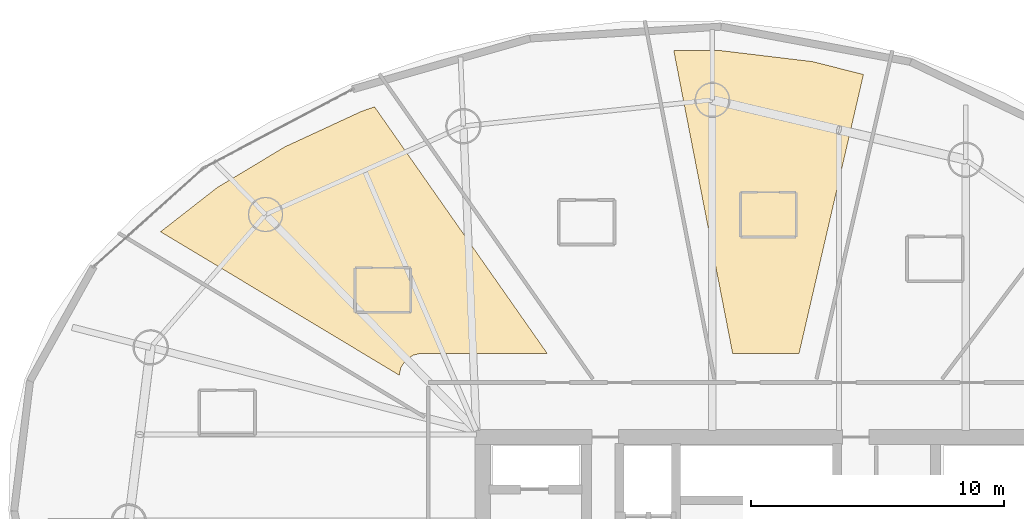
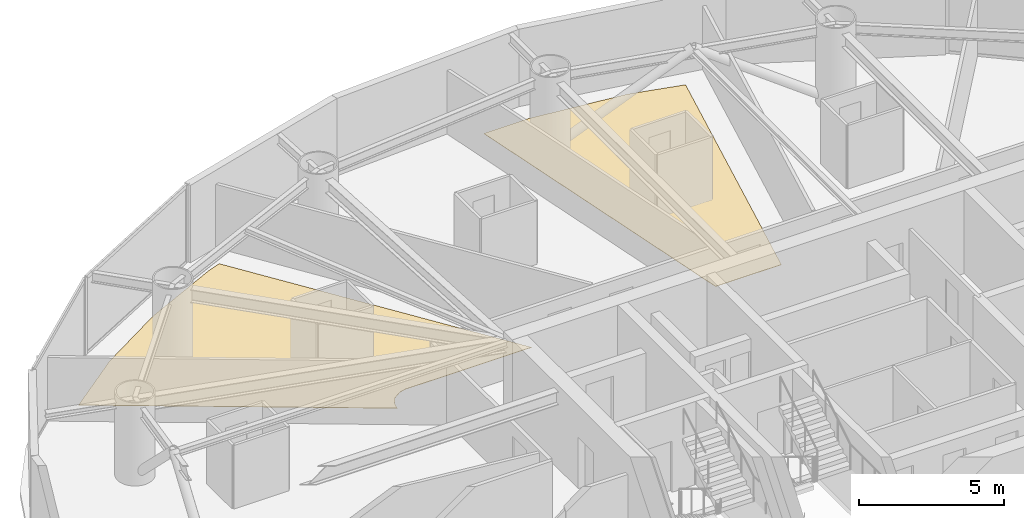
# One storey, part 20 of 20: 2 coverings.
"""IFC4 building model written with IfcOpenShell, lengths in metres."""

import ifcopenshell
import ifcopenshell.guid

model = None  # the IFC model being written
_history = None  # IfcOwnerHistory: only IFC2X3 demands one
_inside = {}  # id of a spatial element -> (the spatial element, [elements in it])
_under = {}  # id of a project, library or spatial element -> (it, [spatial elements below it])
_declared = {}  # id of a project -> (the project, [libraries it declares])
_typed = {}  # id of a type object -> (the type object, [elements of that type])
_made_of = {}  # id of a material, layer set ... -> (it, [elements and type objects made of it])


def new_model(schema):
    """Start an empty IFC model of exactly this schema.

    Asked for "IFC4X3", IfcOpenShell would pick the latest addendum, in which some entities
    have other attributes; the version numbers below select the first issue.
    IFC2X3 requires an IfcOwnerHistory on every rooted entity: one is made here for all.
    """
    global model, _history
    if schema == "IFC4X3":
        model = ifcopenshell.file(schema_version=(4, 3, 0, 0))
    else:
        model = ifcopenshell.file(schema=schema)
    _inside.clear()
    _under.clear()
    _declared.clear()
    _typed.clear()
    _made_of.clear()
    _history = None
    if model.schema == "IFC2X3":
        org = make("IfcOrganization", Name="unknown")
        user = make(
            "IfcPersonAndOrganization",
            ThePerson=make("IfcPerson", FamilyName="unknown"),
            TheOrganization=org,
        )
        app = make(
            "IfcApplication",
            ApplicationDeveloper=org,
            Version="unknown",
            ApplicationFullName="unknown",
            ApplicationIdentifier="unknown",
        )
        _history = make(
            "IfcOwnerHistory",
            OwningUser=user,
            OwningApplication=app,
            ChangeAction="ADDED",
            CreationDate=0,
        )
    return model


def make(cls, **values):
    """One entity of the class cls with the attributes given. An attribute that is None is left unset."""
    return model.create_entity(
        cls, **{name: value for name, value in values.items() if value is not None}
    )


def rooted(cls, **values):
    """An entity with a GlobalId (a new one), such as an element, a storey or a relation."""
    return make(cls, GlobalId=ifcopenshell.guid.new(), OwnerHistory=_history, **values)


def si_unit(unit_type, name, prefix=None):
    """IfcSIUnit, for example si_unit("LENGTHUNIT", "METRE", prefix="MILLI")."""
    return make("IfcSIUnit", UnitType=unit_type, Prefix=prefix, Name=name)


def assignment(units):
    """IfcUnitAssignment: the units of a project."""
    return None if units is None else make("IfcUnitAssignment", Units=units)


def point(xyz):
    """IfcCartesianPoint."""
    return None if xyz is None else make("IfcCartesianPoint", Coordinates=xyz)


def direction(xyz):
    """IfcDirection."""
    return None if xyz is None else make("IfcDirection", DirectionRatios=xyz)


def frame(location, z_axis=None, x_axis=None):
    """IfcAxis2Placement3D, a coordinate frame: its origin and axes. An axis left out is left unset."""
    return make(
        "IfcAxis2Placement3D",
        Location=point(location),
        Axis=direction(z_axis),
        RefDirection=direction(x_axis),
    )


def origin():
    """The frame at (0, 0, 0) with its axes left unset."""
    return frame((0.0, 0.0, 0.0))


def place(relative_to, where):
    """IfcLocalPlacement: puts the frame where relative to a parent placement (None: the world)."""
    return make(
        "IfcLocalPlacement", PlacementRelTo=relative_to, RelativePlacement=where
    )


def context(
    kind, dimensions, precision=None, world=None, true_north=None, identifier=None
):
    """IfcGeometricRepresentationContext, for example the 3D "Model" context."""
    return make(
        "IfcGeometricRepresentationContext",
        ContextIdentifier=identifier,
        ContextType=kind,
        CoordinateSpaceDimension=dimensions,
        Precision=precision,
        WorldCoordinateSystem=world,
        TrueNorth=true_north,
    )


def subcontext(parent, identifier, kind, view, scale=None):
    """IfcGeometricRepresentationSubContext, for example "Body" below "Model"."""
    return make(
        "IfcGeometricRepresentationSubContext",
        ContextIdentifier=identifier,
        ContextType=kind,
        ParentContext=parent,
        TargetScale=scale,
        TargetView=view,
    )


def project(units=None, contexts=None):
    """IfcProject with its units and contexts."""
    return rooted(
        "IfcProject",
        Name="project",
        RepresentationContexts=contexts,
        UnitsInContext=assignment(units),
    )


def spatial(cls, under=None, at=None, **own):
    """A site, building, storey or space (cls), placed at a placement, below another one or the project."""
    s = rooted(cls, ObjectPlacement=at, **own)
    if under is not None:
        _under.setdefault(under.id(), (under, []))[1].append(s)
    return s


def polyline(points):
    """IfcPolyline through the points."""
    return make("IfcPolyline", Points=[point(p) for p in points])


def outline(outer, holes=None, kind="AREA"):
    """IfcArbitraryClosedProfileDef: a profile drawn as a closed curve; with holes, ...WithVoids."""
    if holes is None:
        return make("IfcArbitraryClosedProfileDef", ProfileType=kind, OuterCurve=outer)
    return make(
        "IfcArbitraryProfileDefWithVoids",
        ProfileType=kind,
        OuterCurve=outer,
        InnerCurves=holes,
    )


def extrude(swept, where, along, depth):
    """IfcExtrudedAreaSolid: the profile swept, set in the frame where, extruded along a direction by depth."""
    return make(
        "IfcExtrudedAreaSolid",
        SweptArea=swept,
        Position=where,
        ExtrudedDirection=direction(along),
        Depth=depth,
    )


def shape(context_of_items, identifier, shape_type, items):
    """IfcShapeRepresentation: the items that make up one representation, for example the "Body"."""
    return make(
        "IfcShapeRepresentation",
        ContextOfItems=context_of_items,
        RepresentationIdentifier=identifier,
        RepresentationType=shape_type,
        Items=items,
    )


def material(Name=None, Category=None):
    """IfcMaterial."""
    return make("IfcMaterial", Name=Name, Category=Category)


def layer(
    of_material, thickness, ventilated=None, Name=None, Category=None, Priority=None
):
    """IfcMaterialLayer: one layer of a wall or slab, of a material (None: an air gap)."""
    return make(
        "IfcMaterialLayer",
        Material=of_material,
        LayerThickness=thickness,
        IsVentilated=ventilated,
        Name=Name,
        Category=Category,
        Priority=Priority,
    )


def layer_set(layers, Name=None):
    """IfcMaterialLayerSet."""
    return make("IfcMaterialLayerSet", MaterialLayers=layers, LayerSetName=Name)


def made_of(thing, what):
    """Note that an element or type object is made of a material, layer set ...; save() writes the relation."""
    if what is not None:
        _made_of.setdefault(what.id(), (what, []))[1].append(thing)
    return thing


def type_object(cls, material=None, **own):
    """A type object (cls), such as IfcWallType, which elements share."""
    return made_of(rooted(cls, **own), material)


def element(
    cls,
    number,
    at=None,
    inside=None,
    cuts=None,
    type_object=None,
    material=None,
    context=None,
    identifier="Body",
    shape_type=None,
    held_by="IfcProductDefinitionShape",
    body=None,
    shapes=None,
    **own,
):
    """One element of the class cls, such as IfcWall. Its Tag is "e" and its number.

    at: its placement. inside: the storey or other place that contains it. cuts: it is an
    opening in that element (IfcRelVoidsElement). A single representation is given by context,
    identifier, shape_type and body (its items); several are given by shapes. held_by: the class
    of the entity that holds the representations. save() writes the other relations.
    """
    e = rooted(cls, Tag="e%d" % number, ObjectPlacement=at, **own)
    if body is not None:
        shapes = [shape(context, identifier, shape_type, body)]
    if shapes is not None:
        e.Representation = make(held_by, Representations=shapes)
    if inside is not None:
        _inside.setdefault(inside.id(), (inside, []))[1].append(e)
    if cuts is not None:
        rooted(
            "IfcRelVoidsElement", RelatingBuildingElement=cuts, RelatedOpeningElement=e
        )
    if type_object is not None:
        _typed.setdefault(type_object.id(), (type_object, []))[1].append(e)
    return made_of(e, material)


def aggregate(whole, parts):
    """IfcRelAggregates: a whole, such as a stair, and the parts it consists of."""
    return rooted("IfcRelAggregates", RelatingObject=whole, RelatedObjects=parts)


def save(model, path):
    """Write the relations noted so far, then the file.

    IfcRelAggregates (storeys below a building ...), IfcRelContainedInSpatialStructure (elements
    in a storey), IfcRelDefinesByType, IfcRelAssociatesMaterial and IfcRelDeclares: one each for
    every whole, place, type object, material and project.
    """
    for whole, parts in _under.values():
        aggregate(whole, parts)
    for where, things in _inside.values():
        rooted(
            "IfcRelContainedInSpatialStructure",
            RelatedElements=things,
            RelatingStructure=where,
        )
    for kind, things in _typed.values():
        rooted("IfcRelDefinesByType", RelatedObjects=things, RelatingType=kind)
    for what, things in _made_of.values():
        rooted("IfcRelAssociatesMaterial", RelatedObjects=things, RelatingMaterial=what)
    for by, libraries in _declared.values():
        rooted("IfcRelDeclares", RelatingContext=by, RelatedDefinitions=libraries)
    model.write(path)


model = new_model("IFC4")

# Units and contexts
model_context = context("Model", 3, precision=1e-05, world=origin(), true_north=direction((0.0, 1.0)))
body_context = subcontext(model_context, "Body", "Model", "MODEL_VIEW")
ifc_project = project(units=[si_unit("LENGTHUNIT", "METRE"), si_unit("AREAUNIT", "SQUARE_METRE"), si_unit("VOLUMEUNIT", "CUBIC_METRE"), si_unit("PLANEANGLEUNIT", "RADIAN"), si_unit("MASSUNIT", "GRAM", prefix="KILO")], contexts=[model_context])

# Site, building, storey
site_placement = place(None, origin())
site = spatial("IfcSite", under=ifc_project, at=site_placement, CompositionType="ELEMENT")
building_placement = place(site_placement, origin())
building = spatial("IfcBuilding", under=site, at=building_placement, Name="Bramvorn Convention Spire", CompositionType="ELEMENT")
storey_placement = place(building_placement, frame((0.0, 0.0, 106.300048828125)))
storey = spatial("IfcBuildingStorey", under=building, at=storey_placement, Name="L25", CompositionType="ELEMENT", Elevation=106.300048828125)

# Coverings
ifc_material = material(Name="Solution-Dyed Wool Broadloom Hospitality Carpet", Category="textile")
ifc_layer = layer(ifc_material, 0.014892578125)
ifc_layer_set = layer_set([ifc_layer], Name="Solution-Dyed Wool Broadloom Hospitality Carpet - FLR-CARPET-15")
covering_type = type_object("IfcCoveringType", Name="FLR-CARPET-15", PredefinedType="FLOORING", material=ifc_layer_set)
covering_1_placement = place(storey_placement, origin())
element("IfcCovering", 1, at=covering_1_placement, inside=storey, type_object=covering_type, Name="Hotel Suite 2504 wool broadloom carpet", PredefinedType="FLOORING", context=body_context, shape_type="SweptSolid", body=[
    extrude(outline(polyline([(36.36962890625, 48.47021484375), (34.550537109375, 48.46240234375), (36.8759765625, 36.5), (39.50048828125, 36.5), (42.044677734375, 47.52001953125), (40.040283203125, 48.02978515625), (36.36962890625, 48.47021484375)])), origin(), (0.0, 0.0, 1.0), 0.014892578125),
])
covering_2_placement = place(storey_placement, origin())
element("IfcCovering", 2, at=covering_2_placement, inside=storey, type_object=covering_type, Name="Hotel Suite 2506 wool broadloom carpet", PredefinedType="FLOORING", context=body_context, shape_type="SweptSolid", body=[
    extrude(outline(polyline([(23.701904296875, 35.64111328125), (23.7685546875, 35.9443359375), (23.963623046875, 36.236328125), (24.255615234375, 36.431396484375), (24.51171875, 36.49560546875), (29.549072265625, 36.5), (22.727783203125, 46.241943359375), (22.2138671875, 46.0654296875), (19.187255859375, 44.66455078125), (16.505126953125, 43.05029296875), (14.272705078125, 41.306884765625), (23.701904296875, 35.64111328125)])), origin(), (0.0, 0.0, 1.0), 0.014892578125),
])

save(model, "model.ifc")
